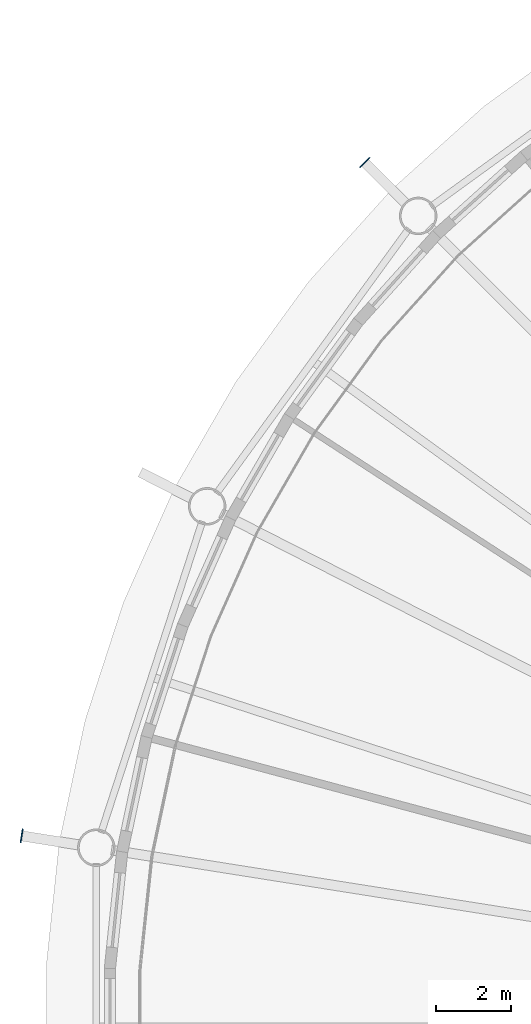
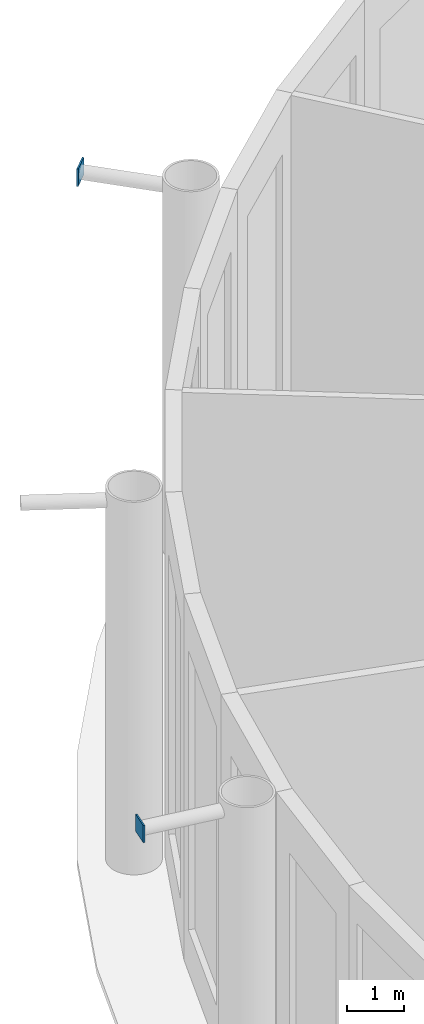
# One storey, part 12 of 17: 2 discrete accessories.
"""IFC4 building model written with IfcOpenShell, lengths in metres."""

from ifc_helpers import new_model, si_unit, direction, frame, origin, origin_2d, place, context, subcontext, project, spatial, rectangle, extrude, material, element, save


model = new_model("IFC4")

# Units and contexts
model_context = context("Model", 3, precision=1e-05, world=origin(), true_north=direction((0.0, 1.0)))
body_context = subcontext(model_context, "Body", "Model", "MODEL_VIEW")
ifc_project = project(units=[si_unit("LENGTHUNIT", "METRE"), si_unit("AREAUNIT", "SQUARE_METRE"), si_unit("VOLUMEUNIT", "CUBIC_METRE"), si_unit("PLANEANGLEUNIT", "RADIAN"), si_unit("MASSUNIT", "GRAM", prefix="KILO")], contexts=[model_context])

# Site, building, storey
site_placement = place(None, origin())
site = spatial("IfcSite", under=ifc_project, at=site_placement, CompositionType="ELEMENT")
building_placement = place(site_placement, origin())
building = spatial("IfcBuilding", under=site, at=building_placement, Name="Entoto Ring Tower", CompositionType="ELEMENT")
storey_placement = place(building_placement, frame((0.0, 0.0, 407.0)))
storey = spatial("IfcBuildingStorey", under=building, at=storey_placement, Name="L93", CompositionType="ELEMENT", Elevation=407.0)

# Discrete accessories
ifc_material = material(Name="Steel S355", Category="steel")
for number, where, z_axis, x_axis, name in (
    (1, (66.937744140625, 103.062255859375, 7.52685546875), (0.0, 0.0, 1.0), (-0.707106781187, 0.707106781187, 0.0), "Node strut end plate DS2 ring 30 08"),
    (2, (57.78662109375, 85.10205078125, 7.52685546875), (0.0, 0.0, 1.0), (-0.987688340595, 0.15643446504, 0.0), "Node strut end plate DS2 ring 30 10"),
):
    element("IfcDiscreteAccessory", number, at=place(storey_placement, frame(where, z_axis=z_axis, x_axis=x_axis)), inside=storey, material=ifc_material, Name=name, PredefinedType="BRACKET", context=body_context, shape_type="SweptSolid", body=[
        extrude(rectangle(XDim=0.030029296875, YDim=0.373046875, at=origin_2d()), origin(), (0.0, 0.0, 1.0), 0.373046875),
    ])

save(model, "model.ifc")
